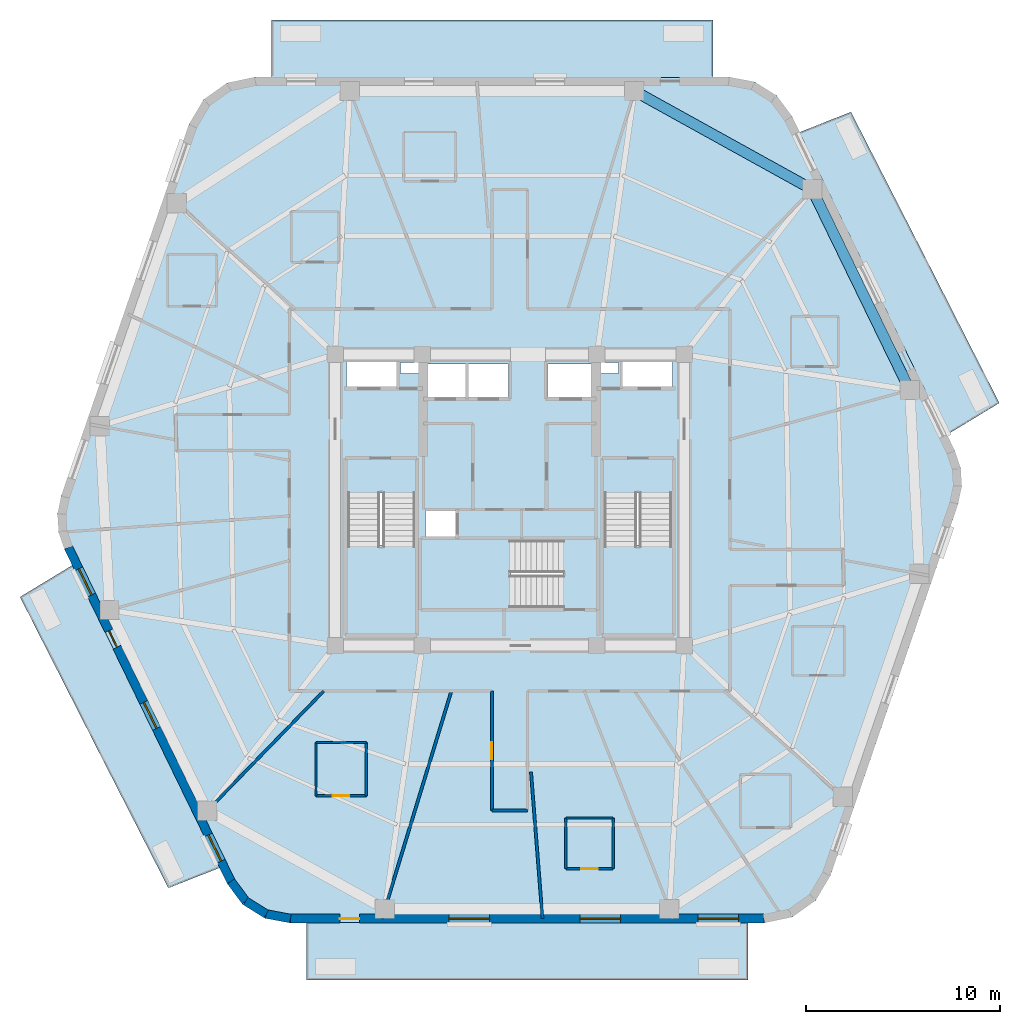
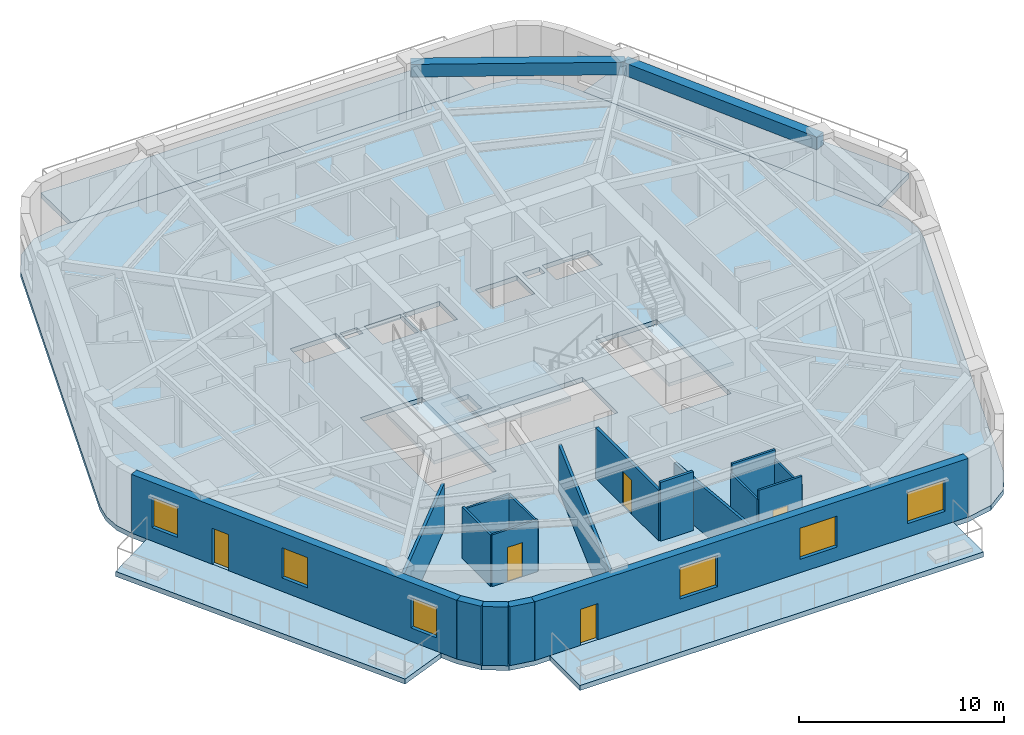
# One storey, part 2 of 10: 18 walls, 8 slabs, 6 windows, 5 doors, 2 beams, 11 openings, 3 elements without a shape of their own.
"""IFC4 building model written with IfcOpenShell, lengths in metres."""

from ifc_helpers import new_model, si_unit, direction, frame, frame_2d, origin, origin_2d, place, context, subcontext, project, spatial, polyline, rectangle, outline, extrude, material, layer, layer_set, material_profile, profile_set, type_object, element, fill, aggregate, save


model = new_model("IFC4")

# Units and contexts
model_context = context("Model", 3, precision=1e-05, world=origin(), true_north=direction((0.0, 1.0)))
body_context = subcontext(model_context, "Body", "Model", "MODEL_VIEW")
ifc_project = project(units=[si_unit("LENGTHUNIT", "METRE"), si_unit("AREAUNIT", "SQUARE_METRE"), si_unit("VOLUMEUNIT", "CUBIC_METRE"), si_unit("PLANEANGLEUNIT", "RADIAN"), si_unit("MASSUNIT", "GRAM", prefix="KILO")], contexts=[model_context])

# Site, building, storey
site_placement = place(None, origin())
site = spatial("IfcSite", under=ifc_project, at=site_placement, CompositionType="ELEMENT")
building_placement = place(site_placement, origin())
building = spatial("IfcBuilding", under=site, at=building_placement, Name="Kilnhurst Terrace Hotel", CompositionType="ELEMENT")
storey_placement = place(building_placement, frame((0.0, 0.0, 210.300048828125)))
storey = spatial("IfcBuildingStorey", under=building, at=storey_placement, Name="L52", CompositionType="ELEMENT", Elevation=210.300048828125)

# Beams
ifc_material_1 = material(Name="Concrete C50/60", Category="concrete")
ifc_material_profile = material_profile(ifc_material_1, rectangle(XDim=0.550048828125, YDim=0.75, at=origin_2d()), Name="RC550X750")
ifc_profile_set = profile_set([ifc_material_profile], Name="Concrete C50/60")
beam_type = type_object("IfcBeamType", Name="BM-SPN-550X750", PredefinedType="SPANDREL", material=ifc_profile_set)
beam_1_placement = place(storey_placement, frame((20.6220703125, 5.669921875, 3.125), z_axis=(-0.437705964683, 0.899118172701, 0.0), x_axis=(-0.899118172701, -0.437705964683, 0.0)))
element("IfcBeam", 1, at=beam_1_placement, inside=storey, type_object=beam_type, Name="L52 Perimeter Spandrel Beam 5", PredefinedType="SPANDREL", context=body_context, shape_type="SweptSolid", body=[
    extrude(rectangle(XDim=0.550048828125, YDim=0.75, at=origin_2d()), origin(), (0.0, 0.0, 1.0), 11.50341796875),
])
beam_2_placement = place(storey_placement, frame((15.5869140625, 16.012939453125, 3.125), z_axis=(-0.874970333121, 0.484176534085, 0.0), x_axis=(-0.484176534085, -0.874970333121, 0.0)))
element("IfcBeam", 2, at=beam_2_placement, inside=storey, type_object=beam_type, Name="L52 Perimeter Spandrel Beam 6", PredefinedType="SPANDREL", context=body_context, shape_type="SweptSolid", body=[
    extrude(rectangle(XDim=0.550048828125, YDim=0.75, at=origin_2d()), origin(), (0.0, 0.0, 1.0), 10.465576171875),
])

# Slabs
ifc_layer_1 = layer(ifc_material_1, 0.300048828125, Name="Concrete C50/60")
ifc_layer_set_1 = layer_set([ifc_layer_1], Name="Concrete C50/60")
slab_type_1 = type_object("IfcSlabType", Name="SLB-BAL-300", PredefinedType="FLOOR", material=ifc_layer_set_1)
slab_1_placement = place(storey_placement, frame((0.0, 0.0, -0.300048828125)))
element("IfcSlab", 3, at=slab_1_placement, inside=storey, type_object=slab_type_1, Name="L52 Cantilevered Planted Terrace Slab BAL-L1A", PredefinedType="FLOOR", context=body_context, shape_type="SweptSolid", body=[
    extrude(outline(polyline([(21.440185546875, 12.465576171875), (25.237548828125, 5.0), (22.527587890625, 3.356201171875), (14.93505859375, 18.95068359375), (17.5888671875, 20.0), (21.440185546875, 12.465576171875)])), origin(), (0.0, 0.0, 1.0), 0.300048828125),
])
slab_2_placement = place(storey_placement, frame((0.0, 0.0, -0.300048828125)))
element("IfcSlab", 4, at=slab_2_placement, inside=storey, type_object=slab_type_1, Name="L52 Cantilevered Planted Terrace Slab BAL-L1B", PredefinedType="FLOOR", context=body_context, shape_type="SweptSolid", body=[
    extrude(outline(polyline([(-12.27490234375, 21.780029296875), (-12.27490234375, 24.739990234375), (10.46875, 24.739990234375), (10.46875, 21.780029296875), (-12.27490234375, 21.780029296875)])), origin(), (0.0, 0.0, 1.0), 0.300048828125),
])
slab_3_placement = place(storey_placement, frame((0.0, 0.0, -0.300048828125)))
element("IfcSlab", 5, at=slab_3_placement, inside=storey, type_object=slab_type_1, Name="L52 Cantilevered Planted Terrace Slab BAL-L2A", PredefinedType="FLOOR", context=body_context, shape_type="SweptSolid", body=[
    extrude(outline(polyline([(-25.237548828125, -5.0), (-22.527587890625, -3.356201171875), (-14.93505859375, -18.95068359375), (-17.5888671875, -20.0), (-21.440185546875, -12.465576171875), (-25.237548828125, -5.0)])), origin(), (0.0, 0.0, 1.0), 0.300048828125),
])
slab_4_placement = place(storey_placement, frame((0.0, 0.0, -0.300048828125)))
element("IfcSlab", 6, at=slab_4_placement, inside=storey, type_object=slab_type_1, Name="L52 Cantilevered Planted Terrace Slab BAL-L2B", PredefinedType="FLOOR", context=body_context, shape_type="SweptSolid", body=[
    extrude(outline(polyline([(12.27490234375, -21.780029296875), (12.27490234375, -24.739990234375), (-10.46875, -24.739990234375), (-10.46875, -21.780029296875), (12.27490234375, -21.780029296875)])), origin(), (0.0, 0.0, 1.0), 0.300048828125),
])
ifc_layer_2 = layer(ifc_material_1, 0.280029296875, Name="Concrete C50/60")
ifc_layer_set_2 = layer_set([ifc_layer_2], Name="Concrete C50/60")
slab_type_2 = type_object("IfcSlabType", Name="SLB-FLR-280", PredefinedType="FLOOR", material=ifc_layer_set_2)
slab_5_placement = place(storey_placement, frame((0.0, 0.0, -0.280029296875)))
element("IfcSlab", 7, at=slab_5_placement, inside=storey, type_object=slab_type_2, Name="L52 Structural Floor Slab", PredefinedType="FLOOR", context=body_context, shape_type="SweptSolid", body=[
    extrude(outline(polyline([(-14.555419921875, -19.77587890625), (-13.759765625, -20.845947265625), (-12.629150390625, -21.552978515625), (-11.318603515625, -21.800048828125), (13.124755859375, -21.800048828125), (14.5703125, -21.4970703125), (15.772705078125, -20.638916015625), (16.529296875, -19.370361328125), (23.1162109375, -0.208740234375), (23.302978515625, 0.710693359375), (23.24560546875, 1.6474609375), (22.948486328125, 2.537353515625), (14.555419921875, 19.77587890625), (13.759765625, 20.845947265625), (12.629150390625, 21.552978515625), (11.318603515625, 21.800048828125), (-13.124755859375, 21.800048828125), (-14.5703125, 21.4970703125), (-15.772705078125, 20.638916015625), (-16.529296875, 19.370361328125), (-23.1162109375, 0.208740234375), (-23.302978515625, -0.710693359375), (-23.24560546875, -1.6474609375), (-22.948486328125, -2.537353515625), (-14.555419921875, -19.77587890625)]), holes=[polyline([(-8.35009765625, 0.35498046875), (-4.8798828125, 0.35498046875), (-4.8798828125, -6.89990234375), (-8.35009765625, -6.89990234375), (-8.35009765625, 0.35498046875)]), polyline([(-2.800048828125, -1.89990234375), (-4.35009765625, -1.89990234375), (-4.35009765625, -0.550048828125), (-2.800048828125, -0.550048828125), (-2.800048828125, -1.89990234375)]), polyline([(-2.25, 5.25), (-4.300048828125, 5.25), (-4.300048828125, 7.0), (-2.25, 7.0), (-2.25, 5.25)]), polyline([(-2.1201171875, 5.25), (-2.1201171875, 7.0), (-0.050048828125, 7.0), (-0.050048828125, 5.25), (-2.1201171875, 5.25)]), polyline([(-8.39990234375, 5.75), (-8.39990234375, 7.14990234375), (-5.800048828125, 7.14990234375), (-5.800048828125, 5.75), (-8.39990234375, 5.75)]), polyline([(-4.659912109375, 6.52001953125), (-5.6201171875, 6.52001953125), (-5.6201171875, 7.080078125), (-4.659912109375, 7.080078125), (-4.659912109375, 6.52001953125)]), polyline([(2.7548828125, -5.550048828125), (-4.5, -5.550048828125), (-4.5, -2.080078125), (2.7548828125, -2.080078125), (2.7548828125, -5.550048828125)]), polyline([(8.35009765625, 0.35498046875), (8.35009765625, -6.89990234375), (4.8798828125, -6.89990234375), (4.8798828125, 0.35498046875), (8.35009765625, 0.35498046875)]), polyline([(4.300048828125, 5.25), (1.949951171875, 5.25), (1.949951171875, 7.0), (4.300048828125, 7.0), (4.300048828125, 5.25)]), polyline([(5.800048828125, 5.75), (5.800048828125, 7.14990234375), (8.39990234375, 7.14990234375), (8.39990234375, 5.75), (5.800048828125, 5.75)]), polyline([(4.659912109375, 6.52001953125), (4.659912109375, 7.080078125), (5.6201171875, 7.080078125), (5.6201171875, 6.52001953125), (4.659912109375, 6.52001953125)])]), origin(), (0.0, 0.0, 1.0), 0.280029296875),
])

# Stair, slab
stair_type = type_object("IfcStairType", Name="STR-CORE-1660", PredefinedType="HALF_TURN_STAIR", material=ifc_material_1)
stair_1_placement = place(storey_placement, origin())
stair_1 = element("IfcStair", 8, at=stair_1_placement, inside=storey, type_object=stair_type, Name="L52 ST-1", PredefinedType="HALF_TURN_STAIR")
ifc_layer_3 = layer(ifc_material_1, 0.199951171875, Name="Concrete C50/60")
ifc_layer_set_3 = layer_set([ifc_layer_3], Name="Concrete C50/60")
slab_type_3 = type_object("IfcSlabType", Name="SLB-ST-LND-200", PredefinedType="LANDING", material=ifc_layer_set_3)
slab_6_placement = place(storey_placement, frame((0.0, 0.0, 1.699951171875)))
slab_6 = element("IfcSlab", 9, at=slab_6_placement, type_object=slab_type_3, Name="ST-1 landing 1", PredefinedType="LANDING", context=body_context, shape_type="SweptSolid", body=[
    extrude(outline(polyline([(-8.429931640625, -2.330078125), (-4.800048828125, -2.330078125), (-4.800048828125, -6.97998046875), (-8.429931640625, -6.97998046875), (-8.429931640625, -2.330078125)])), origin(), (0.0, 0.0, 1.0), 0.199951171875),
])
aggregate(stair_1, [slab_6])

stair_2_placement = place(storey_placement, origin())
stair_2 = element("IfcStair", 10, at=stair_2_placement, inside=storey, type_object=stair_type, Name="L52 ST-2", PredefinedType="HALF_TURN_STAIR")
slab_7_placement = place(storey_placement, frame((0.0, 0.0, 1.699951171875)))
slab_7 = element("IfcSlab", 11, at=slab_7_placement, type_object=slab_type_3, Name="ST-2 landing 1", PredefinedType="LANDING", context=body_context, shape_type="SweptSolid", body=[
    extrude(outline(polyline([(4.800048828125, -2.330078125), (8.429931640625, -2.330078125), (8.429931640625, -6.97998046875), (4.800048828125, -6.97998046875), (4.800048828125, -2.330078125)])), origin(), (0.0, 0.0, 1.0), 0.199951171875),
])
aggregate(stair_2, [slab_7])

stair_3_placement = place(storey_placement, origin())
stair_3 = element("IfcStair", 12, at=stair_3_placement, inside=storey, type_object=stair_type, Name="L52 ST-3", PredefinedType="HALF_TURN_STAIR")
slab_8_placement = place(storey_placement, frame((0.0, 0.0, 1.699951171875)))
slab_8 = element("IfcSlab", 13, at=slab_8_placement, type_object=slab_type_3, Name="ST-3 landing 1", PredefinedType="LANDING", context=body_context, shape_type="SweptSolid", body=[
    extrude(outline(polyline([(0.070068359375, -2.0), (0.070068359375, -5.6298828125), (-4.580078125, -5.6298828125), (-4.580078125, -2.0), (0.070068359375, -2.0)])), origin(), (0.0, 0.0, 1.0), 0.199951171875),
])
aggregate(stair_3, [slab_8])

# Walls
ifc_material_2 = material(Name="Precast concrete C40/50", Category="concrete")
ifc_layer_4 = layer(ifc_material_2, 0.449951171875, Name="Precast concrete C40/50")
ifc_layer_set_4 = layer_set([ifc_layer_4], Name="Precast concrete C40/50")
wall_type_1 = type_object("IfcWallType", Name="WL-BRK-450", PredefinedType="SOLIDWALL", material=ifc_layer_set_4)
wall_1_placement = place(storey_placement, frame((-14.3623046875, -19.658447265625, 0.0), z_axis=(0.0, 0.0, 1.0), x_axis=(0.596642462792, -0.80250717853, 0.0)))
element("IfcWall", 14, at=wall_1_placement, inside=storey, type_object=wall_type_1, Name="L52 Rounded Corner Brick Wall C1.1", PredefinedType="SOLIDWALL", context=body_context, shape_type="SweptSolid", body=[
    extrude(rectangle(XDim=1.27001953125, YDim=0.449951171875, at=frame_2d((0.635009765625, 0.0))), origin(), (0.0, 0.0, 1.0), 3.5),
])
wall_2_placement = place(storey_placement, frame((-13.6044921875, -20.677734375, 0.0), z_axis=(0.0, 0.0, 1.0), x_axis=(0.847910404124, -0.53013955387, 0.0)))
element("IfcWall", 15, at=wall_2_placement, inside=storey, type_object=wall_type_1, Name="L52 Rounded Corner Brick Wall C1.2", PredefinedType="SOLIDWALL", context=body_context, shape_type="SweptSolid", body=[
    extrude(rectangle(XDim=1.24853515625, YDim=0.449951171875, at=frame_2d((0.624267578125, 0.0))), origin(), (0.0, 0.0, 1.0), 3.5),
])
wall_3_placement = place(storey_placement, frame((-12.5458984375, -21.339599609375, 0.0), z_axis=(0.0, 0.0, 1.0), x_axis=(0.982686750835, -0.18527479519, 0.0)))
element("IfcWall", 16, at=wall_3_placement, inside=storey, type_object=wall_type_1, Name="L52 Rounded Corner Brick Wall C1.3", PredefinedType="SOLIDWALL", context=body_context, shape_type="SweptSolid", body=[
    extrude(rectangle(XDim=1.270263671875, YDim=0.449951171875, at=frame_2d((0.63525390625, 0.0))), origin(), (0.0, 0.0, 1.0), 3.5),
])

# Wall, openings, door, windows
wall_4_placement = place(storey_placement, frame((-11.297607421875, -21.574951171875, 0.0), z_axis=(0.0, 0.0, 1.0), x_axis=(1.0, 0.0, 0.0)))
wall_4 = element("IfcWall", 17, at=wall_4_placement, inside=storey, type_object=wall_type_1, Name="L52 Exterior Brick Facade Wall F1", PredefinedType="SOLIDWALL", context=body_context, shape_type="SweptSolid", body=[
    extrude(rectangle(XDim=24.399169921875, YDim=0.449951171875, at=frame_2d((12.19970703125, 0.0))), origin(), (0.0, 0.0, 1.0), 3.5),
])
opening_1_placement = place(wall_4_placement, frame((2.550048828125, 0.0, 0.0)))
opening_1 = element("IfcOpeningElement", 18, at=opening_1_placement, cuts=wall_4, Name="Opening BD-1000", PredefinedType="OPENING", context=body_context, shape_type="SweptSolid", body=[
    extrude(rectangle(XDim=1.0, YDim=2.14990234375, at=frame_2d((0.5, 1.074951171875))), frame((0.0, 0.23486328125, 0.0), z_axis=(0.0, -1.0, 0.0), x_axis=(1.0, 0.0, 0.0)), (0.0, 0.0, 1.0), 0.469970703125),
])
opening_2_placement = place(wall_4_placement, frame((8.1689453125, 0.0, 0.800048828125)))
opening_2 = element("IfcOpeningElement", 19, at=opening_2_placement, cuts=wall_4, Name="Opening W-04", PredefinedType="OPENING", context=body_context, shape_type="SweptSolid", body=[
    extrude(rectangle(XDim=2.10009765625, YDim=1.85009765625, at=frame_2d((1.050048828125, 0.925048828125))), frame((0.0, 0.23486328125, 0.0), z_axis=(0.0, -1.0, 0.0), x_axis=(1.0, 0.0, 0.0)), (0.0, 0.0, 1.0), 0.469970703125),
])
opening_3_placement = place(wall_4_placement, frame((14.922119140625, 0.0, 0.800048828125)))
opening_3 = element("IfcOpeningElement", 20, at=opening_3_placement, cuts=wall_4, Name="Opening W-04", PredefinedType="OPENING", context=body_context, shape_type="SweptSolid", body=[
    extrude(rectangle(XDim=2.10009765625, YDim=1.85009765625, at=frame_2d((1.050048828125, 0.925048828125))), frame((0.0, 0.23486328125, 0.0), z_axis=(0.0, -1.0, 0.0), x_axis=(1.0, 0.0, 0.0)), (0.0, 0.0, 1.0), 0.469970703125),
])
opening_4_placement = place(wall_4_placement, frame((20.99609375, 0.0, 0.800048828125)))
opening_4 = element("IfcOpeningElement", 21, at=opening_4_placement, cuts=wall_4, Name="Opening W-04", PredefinedType="OPENING", context=body_context, shape_type="SweptSolid", body=[
    extrude(rectangle(XDim=2.10009765625, YDim=1.85009765625, at=frame_2d((1.050048828125, 0.925048828125))), frame((0.0, 0.23486328125, 0.0), z_axis=(0.0, -1.0, 0.0), x_axis=(1.0, 0.0, 0.0)), (0.0, 0.0, 1.0), 0.469970703125),
])
ifc_material_3 = material(Name="Thermally Broken Bronze Aluminium Alloy 6063-T6 and Laminated Glass", Category="aluminium")
door_type_1 = type_object("IfcDoorType", Name="DR-EXT-BAL-1000", OperationType="NOTDEFINED", PredefinedType="DOOR", material=ifc_material_3)
door_1_placement = place(opening_1_placement, origin())
door_1 = element("IfcDoor", 22, at=door_1_placement, inside=storey, type_object=door_type_1, Name="L52 Planted Balcony Door BAL-L2B", OperationType="SINGLE_SWING_LEFT", OverallHeight=2.14990234375, OverallWidth=1.0, PredefinedType="DOOR", context=body_context, shape_type="SweptSolid", body=[
    extrude(rectangle(XDim=1.0, YDim=2.14990234375, at=frame_2d((0.5, 1.074951171875))), frame((0.0, 0.02490234375, 0.0), z_axis=(0.0, -1.0, 0.0), x_axis=(1.0, 0.0, 0.0)), (0.0, 0.0, 1.0), 0.050048828125),
])
fill(opening_1, door_1)
ifc_material_4 = material(Name="Thermally Broken Bronze Aluminium Alloy 6063-T6 and Low-E Glass", Category="aluminium")
window_type_1 = type_object("IfcWindowType", Name="WIN-2100X1850", PartitioningType="SINGLE_PANEL", PredefinedType="WINDOW", material=ifc_material_4)
window_1_placement = place(opening_2_placement, origin())
window_1 = element("IfcWindow", 23, at=window_1_placement, inside=storey, type_object=window_type_1, Name="L52 Deep-Set Masonry Window F1.1", OverallHeight=1.85009765625, OverallWidth=2.10009765625, PartitioningType="SINGLE_PANEL", PredefinedType="WINDOW", context=body_context, shape_type="SweptSolid", body=[
    extrude(rectangle(XDim=2.10009765625, YDim=1.85009765625, at=frame_2d((1.050048828125, 0.925048828125))), frame((0.0, 0.030029296875, 0.0), z_axis=(0.0, -1.0, 0.0), x_axis=(1.0, 0.0, 0.0)), (0.0, 0.0, 1.0), 0.06005859375),
])
fill(opening_2, window_1)
window_2_placement = place(opening_3_placement, origin())
window_2 = element("IfcWindow", 24, at=window_2_placement, inside=storey, type_object=window_type_1, Name="L52 Deep-Set Masonry Window F1.2", OverallHeight=1.85009765625, OverallWidth=2.10009765625, PartitioningType="SINGLE_PANEL", PredefinedType="WINDOW", context=body_context, shape_type="SweptSolid", body=[
    extrude(rectangle(XDim=2.10009765625, YDim=1.85009765625, at=frame_2d((1.050048828125, 0.925048828125))), frame((0.0, 0.030029296875, 0.0), z_axis=(0.0, -1.0, 0.0), x_axis=(1.0, 0.0, 0.0)), (0.0, 0.0, 1.0), 0.06005859375),
])
fill(opening_3, window_2)
window_3_placement = place(opening_4_placement, origin())
window_3 = element("IfcWindow", 25, at=window_3_placement, inside=storey, type_object=window_type_1, Name="L52 Deep-Set Masonry Window F1.3", OverallHeight=1.85009765625, OverallWidth=2.10009765625, PartitioningType="SINGLE_PANEL", PredefinedType="WINDOW", context=body_context, shape_type="SweptSolid", body=[
    extrude(rectangle(XDim=2.10009765625, YDim=1.85009765625, at=frame_2d((1.050048828125, 0.925048828125))), frame((0.0, 0.030029296875, 0.0), z_axis=(0.0, -1.0, 0.0), x_axis=(1.0, 0.0, 0.0)), (0.0, 0.0, 1.0), 0.06005859375),
])
fill(opening_4, window_3)

wall_5_placement = place(storey_placement, frame((-22.73974609375, -2.4521484375, 0.0), z_axis=(0.0, 0.0, 1.0), x_axis=(0.437753424814, -0.899095066755, 0.0)))
wall_5 = element("IfcWall", 26, at=wall_5_placement, inside=storey, type_object=wall_type_1, Name="L52 Exterior Brick Facade Wall F6", PredefinedType="SOLIDWALL", context=body_context, shape_type="SweptSolid", body=[
    extrude(rectangle(XDim=19.137451171875, YDim=0.449951171875, at=frame_2d((9.56884765625, 0.0))), origin(), (0.0, 0.0, 1.0), 3.5),
])
opening_5_placement = place(wall_5_placement, frame((4.762939453125, 0.0, 0.0)))
opening_5 = element("IfcOpeningElement", 27, at=opening_5_placement, cuts=wall_5, Name="Opening BD-950", PredefinedType="OPENING", context=body_context, shape_type="SweptSolid", body=[
    extrude(rectangle(XDim=0.949951171875, YDim=2.14990234375, at=frame_2d((0.47509765625, 1.074951171875))), frame((0.0, 0.23486328125, 0.0), z_axis=(0.0, -1.0, 0.0), x_axis=(1.0, 0.0, 0.0)), (0.0, 0.0, 1.0), 0.469970703125),
])
opening_6_placement = place(wall_5_placement, frame((1.216064453125, 0.0, 0.800048828125)))
opening_6 = element("IfcOpeningElement", 28, at=opening_6_placement, cuts=wall_5, Name="Opening W-02", PredefinedType="OPENING", context=body_context, shape_type="SweptSolid", body=[
    extrude(rectangle(XDim=1.5, YDim=1.800048828125, at=frame_2d((0.75, 0.89990234375))), frame((0.0, 0.23486328125, 0.0), z_axis=(0.0, -1.0, 0.0), x_axis=(1.0, 0.0, 0.0)), (0.0, 0.0, 1.0), 0.469970703125),
])
opening_7_placement = place(wall_5_placement, frame((8.8701171875, 0.0, 0.800048828125)))
opening_7 = element("IfcOpeningElement", 29, at=opening_7_placement, cuts=wall_5, Name="Opening W-02", PredefinedType="OPENING", context=body_context, shape_type="SweptSolid", body=[
    extrude(rectangle(XDim=1.5, YDim=1.800048828125, at=frame_2d((0.75, 0.89990234375))), frame((0.0, 0.23486328125, 0.0), z_axis=(0.0, -1.0, 0.0), x_axis=(1.0, 0.0, 0.0)), (0.0, 0.0, 1.0), 0.469970703125),
])
opening_8_placement = place(wall_5_placement, frame((16.472900390625, 0.0, 0.800048828125)))
opening_8 = element("IfcOpeningElement", 30, at=opening_8_placement, cuts=wall_5, Name="Opening W-02", PredefinedType="OPENING", context=body_context, shape_type="SweptSolid", body=[
    extrude(rectangle(XDim=1.5, YDim=1.800048828125, at=frame_2d((0.75, 0.89990234375))), frame((0.0, 0.23486328125, 0.0), z_axis=(0.0, -1.0, 0.0), x_axis=(1.0, 0.0, 0.0)), (0.0, 0.0, 1.0), 0.469970703125),
])
door_type_2 = type_object("IfcDoorType", Name="DR-EXT-BAL-950", OperationType="NOTDEFINED", PredefinedType="DOOR", material=ifc_material_3)
door_2_placement = place(opening_5_placement, origin())
door_2 = element("IfcDoor", 31, at=door_2_placement, inside=storey, type_object=door_type_2, Name="L52 Planted Balcony Door BAL-L2A", OperationType="SINGLE_SWING_RIGHT", OverallHeight=2.14990234375, OverallWidth=0.949951171875, PredefinedType="DOOR", context=body_context, shape_type="SweptSolid", body=[
    extrude(rectangle(XDim=0.949951171875, YDim=2.14990234375, at=frame_2d((0.47509765625, 1.074951171875))), frame((0.0, 0.02490234375, 0.0), z_axis=(0.0, -1.0, 0.0), x_axis=(1.0, 0.0, 0.0)), (0.0, 0.0, 1.0), 0.050048828125),
])
fill(opening_5, door_2)
window_type_2 = type_object("IfcWindowType", Name="WIN-1500X1800", PartitioningType="SINGLE_PANEL", PredefinedType="WINDOW", material=ifc_material_4)
window_4_placement = place(opening_6_placement, origin())
window_4 = element("IfcWindow", 32, at=window_4_placement, inside=storey, type_object=window_type_2, Name="L52 Deep-Set Masonry Window F6.1", OverallHeight=1.800048828125, OverallWidth=1.5, PartitioningType="SINGLE_PANEL", PredefinedType="WINDOW", context=body_context, shape_type="SweptSolid", body=[
    extrude(rectangle(XDim=1.5, YDim=1.800048828125, at=frame_2d((0.75, 0.89990234375))), frame((0.0, 0.030029296875, 0.0), z_axis=(0.0, -1.0, 0.0), x_axis=(1.0, 0.0, 0.0)), (0.0, 0.0, 1.0), 0.06005859375),
])
fill(opening_6, window_4)
window_5_placement = place(opening_7_placement, origin())
window_5 = element("IfcWindow", 33, at=window_5_placement, inside=storey, type_object=window_type_2, Name="L52 Deep-Set Masonry Window F6.2", OverallHeight=1.800048828125, OverallWidth=1.5, PartitioningType="SINGLE_PANEL", PredefinedType="WINDOW", context=body_context, shape_type="SweptSolid", body=[
    extrude(rectangle(XDim=1.5, YDim=1.800048828125, at=frame_2d((0.75, 0.89990234375))), frame((0.0, 0.030029296875, 0.0), z_axis=(0.0, -1.0, 0.0), x_axis=(1.0, 0.0, 0.0)), (0.0, 0.0, 1.0), 0.06005859375),
])
fill(opening_7, window_5)
window_6_placement = place(opening_8_placement, origin())
window_6 = element("IfcWindow", 34, at=window_6_placement, inside=storey, type_object=window_type_2, Name="L52 Deep-Set Masonry Window F6.3", OverallHeight=1.800048828125, OverallWidth=1.5, PartitioningType="SINGLE_PANEL", PredefinedType="WINDOW", context=body_context, shape_type="SweptSolid", body=[
    extrude(rectangle(XDim=1.5, YDim=1.800048828125, at=frame_2d((0.75, 0.89990234375))), frame((0.0, 0.030029296875, 0.0), z_axis=(0.0, -1.0, 0.0), x_axis=(1.0, 0.0, 0.0)), (0.0, 0.0, 1.0), 0.06005859375),
])
fill(opening_8, window_6)

# Wall
ifc_material_5 = material(Name="Acoustic Double-Gypsum Corridor Partition Assembly")
ifc_layer_5 = layer(ifc_material_5, 0.14990234375, Name="Acoustic Double-Gypsum Corridor Partition Assembly")
ifc_layer_set_5 = layer_set([ifc_layer_5], Name="Acoustic Double-Gypsum Corridor Partition Assembly")
wall_type_2 = type_object("IfcWallType", Name="WL-COR-150", PredefinedType="PARTITIONING", material=ifc_layer_set_5)
wall_6_placement = place(storey_placement, frame((0.919921875, -16.0, 0.0), z_axis=(0.0, 0.0, 1.0), x_axis=(-1.0, 0.0, 0.0)))
element("IfcWall", 35, at=wall_6_placement, inside=storey, type_object=wall_type_2, Name="L52 Interior Wall WL-L52-COR-18", PredefinedType="PARTITIONING", context=body_context, shape_type="SweptSolid", body=[
    extrude(rectangle(XDim=1.83984375, YDim=0.14990234375, at=frame_2d((0.919921875, 0.0))), origin(), (0.0, 0.0, 1.0), 3.5),
])

# Wall, opening, door
wall_7_placement = place(storey_placement, frame((-0.919921875, -16.0, 0.0), z_axis=(0.0, 0.0, 1.0), x_axis=(0.0, 1.0, 0.0)))
wall_7 = element("IfcWall", 36, at=wall_7_placement, inside=storey, type_object=wall_type_2, Name="L52 Interior Wall WL-L52-COR-19", PredefinedType="PARTITIONING", context=body_context, shape_type="SweptSolid", body=[
    extrude(rectangle(XDim=6.14990234375, YDim=0.14990234375, at=frame_2d((3.074951171875, 0.0))), origin(), (0.0, 0.0, 1.0), 3.0263671875),
])
opening_9_placement = place(wall_7_placement, frame((2.625, 0.0, 0.0)))
opening_9 = element("IfcOpeningElement", 37, at=opening_9_placement, cuts=wall_7, Name="Opening D-60C", PredefinedType="OPENING", context=body_context, shape_type="SweptSolid", body=[
    extrude(rectangle(XDim=0.89990234375, YDim=2.030029296875, at=frame_2d((0.449951171875, 1.01513671875))), frame((0.0, 0.0849609375, 0.0), z_axis=(0.0, -1.0, 0.0), x_axis=(1.0, 0.0, 0.0)), (0.0, 0.0, 1.0), 0.169921875),
])
ifc_material_6 = material(Name="Painted Solid-Core Service Fire Door")
door_type_3 = type_object("IfcDoorType", Name="DR-FD60-900", OperationType="NOTDEFINED", PredefinedType="DOOR", material=ifc_material_6)
door_3_placement = place(opening_9_placement, origin())
door_3 = element("IfcDoor", 38, at=door_3_placement, inside=storey, type_object=door_type_3, Name="L52 Wellness Consultation Room Door 12", OperationType="SINGLE_SWING_RIGHT", OverallHeight=2.030029296875, OverallWidth=0.89990234375, PredefinedType="DOOR", context=body_context, shape_type="SweptSolid", body=[
    extrude(rectangle(XDim=0.89990234375, YDim=2.030029296875, at=frame_2d((0.449951171875, 1.01513671875))), frame((0.0, 0.02490234375, 0.0), z_axis=(0.0, -1.0, 0.0), x_axis=(1.0, 0.0, 0.0)), (0.0, 0.0, 1.0), 0.050048828125),
])
fill(opening_9, door_3)

# Walls
ifc_material_7 = material(Name="STC-58 Acoustic Twin-Frame Guestroom Demising Partition")
ifc_layer_6 = layer(ifc_material_7, 0.14990234375, Name="STC-58 Acoustic Twin-Frame Guestroom Demising Partition")
ifc_layer_set_6 = layer_set([ifc_layer_6], Name="STC-58 Acoustic Twin-Frame Guestroom Demising Partition")
wall_type_3 = type_object("IfcWallType", Name="WL-DEM-150", PredefinedType="PARTITIONING", material=ifc_layer_set_6)
wall_8_placement = place(storey_placement, frame((-9.587890625, -9.85009765625, 0.0), z_axis=(0.0, 0.0, 1.0), x_axis=(-0.697519469595, -0.716565830567, 0.0)))
element("IfcWall", 39, at=wall_8_placement, inside=storey, type_object=wall_type_3, Name="L52 Interior Wall WL-L52-DEM-COL08-11-1", PredefinedType="PARTITIONING", context=body_context, shape_type="SweptSolid", body=[
    extrude(rectangle(XDim=9.12646484375, YDim=0.14990234375, at=frame_2d((4.563232421875, 0.0))), origin(), (0.0, 0.0, 1.0), 2.739990234375),
])
wall_9_placement = place(storey_placement, frame((-3.00439453125, -9.85009765625, 0.0), z_axis=(0.0, 0.0, 1.0), x_axis=(-0.291775760688, -0.956486751333, 0.0)))
element("IfcWall", 40, at=wall_9_placement, inside=storey, type_object=wall_type_3, Name="L52 Interior Wall WL-L52-DEM-COL09-12-1", PredefinedType="PARTITIONING", context=body_context, shape_type="SweptSolid", body=[
    extrude(rectangle(XDim=12.25830078125, YDim=0.14990234375, at=frame_2d((6.129150390625, 0.0))), origin(), (0.0, 0.0, 1.0), 2.739990234375),
])
wall_10_placement = place(storey_placement, frame((1.10009765625, -14.017578125, 0.0), z_axis=(0.0, 0.0, 1.0), x_axis=(0.078228275349, -0.996935472804, 0.0)))
element("IfcWall", 41, at=wall_10_placement, inside=storey, type_object=wall_type_3, Name="L52 Interior Wall WL-L52-DEM-MID09-13-1", PredefinedType="PARTITIONING", context=body_context, shape_type="SweptSolid", body=[
    extrude(rectangle(XDim=7.58056640625, YDim=0.14990234375, at=frame_2d((3.790283203125, 0.0))), origin(), (0.0, 0.0, 1.0), 2.739990234375),
])

# Wall, opening, door
ifc_material_8 = material(Name="120 mm Moisture-Resistant Tile-Backed Bathroom Partition")
ifc_layer_7 = layer(ifc_material_8, 0.1201171875, Name="120 mm Moisture-Resistant Tile-Backed Bathroom Partition")
ifc_layer_set_7 = layer_set([ifc_layer_7], Name="120 mm Moisture-Resistant Tile-Backed Bathroom Partition")
wall_type_4 = type_object("IfcWallType", Name="WL-PART-120", PredefinedType="PARTITIONING", material=ifc_layer_set_7)
wall_11_placement = place(storey_placement, frame((-9.98291015625, -15.2470703125, 0.0), z_axis=(0.0, 0.0, 1.0), x_axis=(1.0, 0.0, 0.0)))
wall_11 = element("IfcWall", 42, at=wall_11_placement, inside=storey, type_object=wall_type_4, Name="L52 Interior Wall WL-L52-BTH-11-1", PredefinedType="PARTITIONING", context=body_context, shape_type="SweptSolid", body=[
    extrude(rectangle(XDim=2.599853515625, YDim=0.1201171875, at=frame_2d((1.2998046875, 0.0))), origin(), (0.0, 0.0, 1.0), 3.072265625),
])
opening_10_placement = place(wall_11_placement, frame((0.875, 0.0, 0.0)))
opening_10 = element("IfcOpeningElement", 43, at=opening_10_placement, cuts=wall_11, Name="Opening D-08A", PredefinedType="OPENING", context=body_context, shape_type="SweptSolid", body=[
    extrude(rectangle(XDim=0.85009765625, YDim=2.030029296875, at=frame_2d((0.425048828125, 1.01513671875))), frame((0.0, 0.070068359375, 0.0), z_axis=(0.0, -1.0, 0.0), x_axis=(1.0, 0.0, 0.0)), (0.0, 0.0, 1.0), 0.14013671875),
])
ifc_material_9 = material(Name="Moisture-Resistant Lacquered En-suite Bathroom Door")
door_type_4 = type_object("IfcDoorType", Name="DR-INT-850", OperationType="NOTDEFINED", PredefinedType="DOOR", material=ifc_material_9)
door_4_placement = place(opening_10_placement, origin())
door_4 = element("IfcDoor", 44, at=door_4_placement, inside=storey, type_object=door_type_4, Name="L52 En-suite Bathroom Door 11", OperationType="SINGLE_SWING_RIGHT", OverallHeight=2.030029296875, OverallWidth=0.85009765625, PredefinedType="DOOR", context=body_context, shape_type="SweptSolid", body=[
    extrude(rectangle(XDim=0.85009765625, YDim=2.030029296875, at=frame_2d((0.425048828125, 1.01513671875))), frame((0.0, 0.02490234375, 0.0), z_axis=(0.0, -1.0, 0.0), x_axis=(1.0, 0.0, 0.0)), (0.0, 0.0, 1.0), 0.050048828125),
])
fill(opening_10, door_4)

# Walls
wall_12_placement = place(storey_placement, frame((-7.383056640625, -15.2470703125, 0.0), z_axis=(0.0, 0.0, 1.0), x_axis=(0.0, 1.0, 0.0)))
element("IfcWall", 45, at=wall_12_placement, inside=storey, type_object=wall_type_4, Name="L52 Interior Wall WL-L52-BTH-11-2", PredefinedType="PARTITIONING", context=body_context, shape_type="SweptSolid", body=[
    extrude(rectangle(XDim=2.75, YDim=0.1201171875, at=frame_2d((1.375, 0.0))), origin(), (0.0, 0.0, 1.0), 2.9404296875),
])
wall_13_placement = place(storey_placement, frame((-7.383056640625, -12.4970703125, 0.0), z_axis=(0.0, 0.0, 1.0), x_axis=(-1.0, 0.0, 0.0)))
element("IfcWall", 46, at=wall_13_placement, inside=storey, type_object=wall_type_4, Name="L52 Interior Wall WL-L52-BTH-11-3", PredefinedType="PARTITIONING", context=body_context, shape_type="SweptSolid", body=[
    extrude(rectangle(XDim=2.599853515625, YDim=0.1201171875, at=frame_2d((1.2998046875, 0.0))), origin(), (0.0, 0.0, 1.0), 2.9404296875),
])
wall_14_placement = place(storey_placement, frame((-9.98291015625, -12.4970703125, 0.0), z_axis=(0.0, 0.0, 1.0), x_axis=(0.0, -1.0, 0.0)))
element("IfcWall", 47, at=wall_14_placement, inside=storey, type_object=wall_type_4, Name="L52 Interior Wall WL-L52-BTH-11-4", PredefinedType="PARTITIONING", context=body_context, shape_type="SweptSolid", body=[
    extrude(rectangle(XDim=2.75, YDim=0.1201171875, at=frame_2d((1.375, 0.0))), origin(), (0.0, 0.0, 1.0), 3.072265625),
])

# Wall, opening, door
wall_15_placement = place(storey_placement, frame((2.89404296875, -19.001953125, 0.0), z_axis=(0.0, 0.0, 1.0), x_axis=(1.0, 0.0, 0.0)))
wall_15 = element("IfcWall", 48, at=wall_15_placement, inside=storey, type_object=wall_type_4, Name="L52 Interior Wall WL-L52-BTH-13-1", PredefinedType="PARTITIONING", context=body_context, shape_type="SweptSolid", body=[
    extrude(rectangle(XDim=2.43994140625, YDim=0.1201171875, at=frame_2d((1.219970703125, 0.0))), origin(), (0.0, 0.0, 1.0), 3.5),
])
opening_11_placement = place(wall_15_placement, frame((0.794921875, 0.0, 0.0)))
opening_11 = element("IfcOpeningElement", 49, at=opening_11_placement, cuts=wall_15, Name="Opening D-08A", PredefinedType="OPENING", context=body_context, shape_type="SweptSolid", body=[
    extrude(rectangle(XDim=0.85009765625, YDim=2.030029296875, at=frame_2d((0.425048828125, 1.01513671875))), frame((0.0, 0.070068359375, 0.0), z_axis=(0.0, -1.0, 0.0), x_axis=(1.0, 0.0, 0.0)), (0.0, 0.0, 1.0), 0.14013671875),
])
door_5_placement = place(opening_11_placement, origin())
door_5 = element("IfcDoor", 50, at=door_5_placement, inside=storey, type_object=door_type_4, Name="L52 En-suite Bathroom Door 13", OperationType="SINGLE_SWING_RIGHT", OverallHeight=2.030029296875, OverallWidth=0.85009765625, PredefinedType="DOOR", context=body_context, shape_type="SweptSolid", body=[
    extrude(rectangle(XDim=0.85009765625, YDim=2.030029296875, at=frame_2d((0.425048828125, 1.01513671875))), frame((0.0, 0.02490234375, 0.0), z_axis=(0.0, -1.0, 0.0), x_axis=(1.0, 0.0, 0.0)), (0.0, 0.0, 1.0), 0.050048828125),
])
fill(opening_11, door_5)

# Walls
wall_16_placement = place(storey_placement, frame((5.333984375, -19.001953125, 0.0), z_axis=(0.0, 0.0, 1.0), x_axis=(0.0, 1.0, 0.0)))
element("IfcWall", 51, at=wall_16_placement, inside=storey, type_object=wall_type_4, Name="L52 Interior Wall WL-L52-BTH-13-2", PredefinedType="PARTITIONING", context=body_context, shape_type="SweptSolid", body=[
    extrude(rectangle(XDim=2.60986328125, YDim=0.1201171875, at=frame_2d((1.304931640625, 0.0))), origin(), (0.0, 0.0, 1.0), 2.9404296875),
])
wall_17_placement = place(storey_placement, frame((5.333984375, -16.39208984375, 0.0), z_axis=(0.0, 0.0, 1.0), x_axis=(-1.0, 0.0, 0.0)))
element("IfcWall", 52, at=wall_17_placement, inside=storey, type_object=wall_type_4, Name="L52 Interior Wall WL-L52-BTH-13-3", PredefinedType="PARTITIONING", context=body_context, shape_type="SweptSolid", body=[
    extrude(rectangle(XDim=2.43994140625, YDim=0.1201171875, at=frame_2d((1.219970703125, 0.0))), origin(), (0.0, 0.0, 1.0), 3.5),
])
wall_18_placement = place(storey_placement, frame((2.89404296875, -16.39208984375, 0.0), z_axis=(0.0, 0.0, 1.0), x_axis=(0.0, -1.0, 0.0)))
element("IfcWall", 53, at=wall_18_placement, inside=storey, type_object=wall_type_4, Name="L52 Interior Wall WL-L52-BTH-13-4", PredefinedType="PARTITIONING", context=body_context, shape_type="SweptSolid", body=[
    extrude(rectangle(XDim=2.60986328125, YDim=0.1201171875, at=frame_2d((1.304931640625, 0.0))), origin(), (0.0, 0.0, 1.0), 2.9404296875),
])

save(model, "model.ifc")
